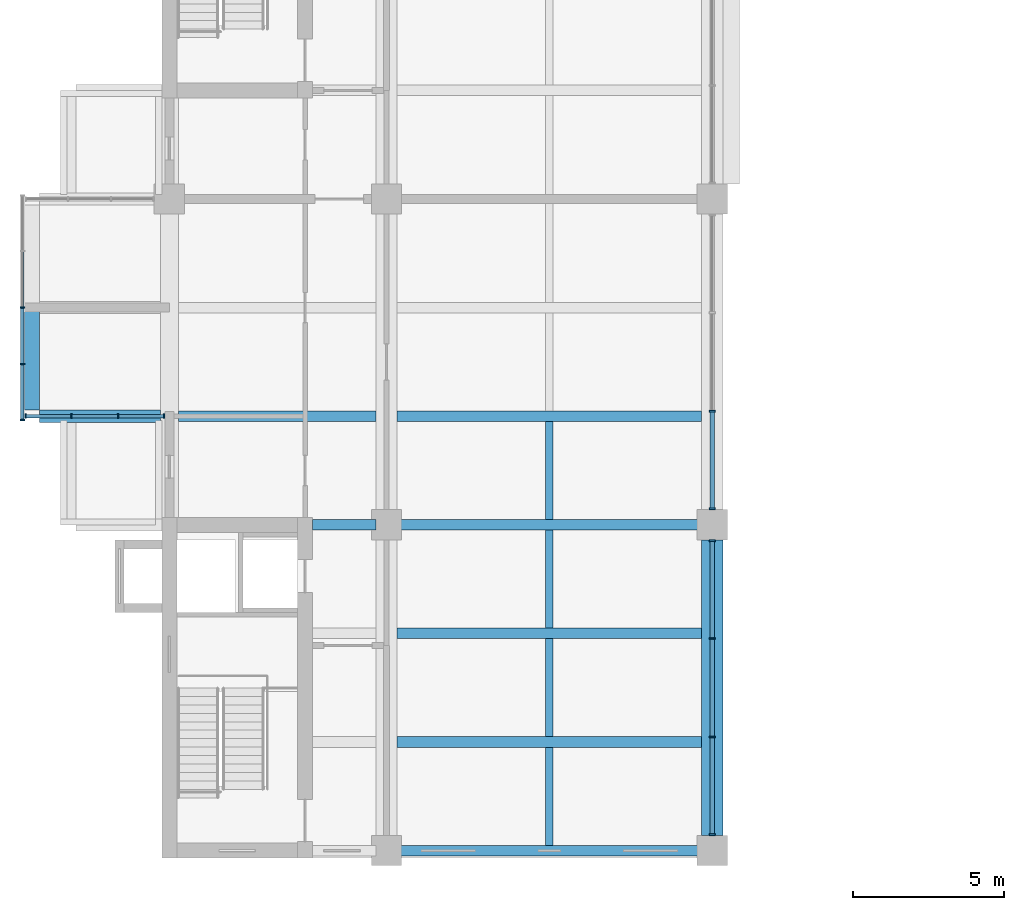
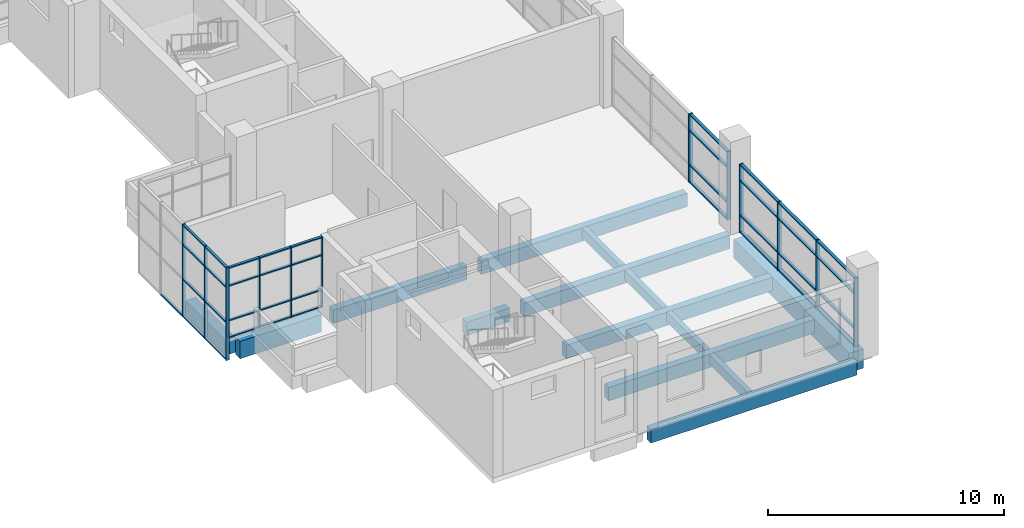
# One storey, part 2 of 44: 50 members, 14 beams, 4 elements without a shape of their own.
"""IFC4 building model written with IfcOpenShell, lengths in metres."""

from ifc_helpers import new_model, si_unit, direction, frame, origin, origin_2d, place, context, subcontext, project, spatial, rectangle, extrude, material, layer, layer_set, material_profile, profile_set, type_object, element, aggregate, save


model = new_model("IFC4")

# Units and contexts
model_context = context("Model", 3, precision=1e-05, world=origin(), true_north=direction((0.0, 1.0)))
body_context = subcontext(model_context, "Body", "Model", "MODEL_VIEW")
ifc_project = project(units=[si_unit("LENGTHUNIT", "METRE"), si_unit("AREAUNIT", "SQUARE_METRE"), si_unit("VOLUMEUNIT", "CUBIC_METRE"), si_unit("PLANEANGLEUNIT", "RADIAN"), si_unit("MASSUNIT", "GRAM", prefix="KILO")], contexts=[model_context])

# Site, building, storey
site_placement = place(None, origin())
site = spatial("IfcSite", under=ifc_project, at=site_placement, CompositionType="ELEMENT")
building_placement = place(site_placement, origin())
building = spatial("IfcBuilding", under=site, at=building_placement, Name="Basin Gate Institute", CompositionType="ELEMENT")
storey_placement = place(building_placement, frame((0.0, 0.0, 27.0)))
storey = spatial("IfcBuildingStorey", under=building, at=storey_placement, Name="L05", CompositionType="ELEMENT", Elevation=27.0)

# Beams
ifc_material_1 = material(Name="Concrete 40 MPa", Category="concrete")
ifc_material_profile_1 = material_profile(ifc_material_1, rectangle(XDim=0.35009765625, YDim=0.699951171875, at=origin_2d()), Name="Beam B1 350 x 700")
ifc_profile_set_1 = profile_set([ifc_material_profile_1], Name="Concrete 40 MPa")
beam_type_1 = type_object("IfcBeamType", Name="Beam B1 R120", PredefinedType="BEAM", material=ifc_profile_set_1)
for number, where, z_axis, x_axis, name in (
    (1, (68.75, 35.10009765625, -0.60009765625), (1.0, 0.0, 0.0), (0.0, 1.0, 0.0), "BEAM/L05/W/EW/01"),
    (2, (68.75, 38.699951171875, -0.60009765625), (1.0, 0.0, 0.0), (0.0, 1.0, 0.0), "BEAM/L05/W/EW/02"),
    (3, (68.75, 42.300048828125, -0.60009765625), (1.0, 0.0, 0.0), (0.0, 1.0, 0.0), "BEAM/L05/W/EW/03"),
    (4, (68.75, 45.89990234375, -0.60009765625), (1.0, 0.0, 0.0), (0.0, 1.0, 0.0), "BEAM/L05/W/EW/04"),
):
    element("IfcBeam", number, at=place(storey_placement, frame(where, z_axis=z_axis, x_axis=x_axis)), inside=storey, type_object=beam_type_1, material=ifc_profile_set_1, Name=name, PredefinedType="BEAM", context=body_context, shape_type="SweptSolid", body=[
        extrude(rectangle(XDim=0.35009765625, YDim=0.699951171875, at=origin_2d()), origin(), (0.0, 0.0, 1.0), 10.10009765625),
    ])
beam_1_placement = place(storey_placement, frame((65.949951171875, 45.89990234375, -0.60009765625), z_axis=(1.0, 0.0, 0.0), x_axis=(0.0, 1.0, 0.0)))
element("IfcBeam", 5, at=beam_1_placement, inside=storey, type_object=beam_type_1, material=ifc_profile_set_1, Name="BEAM/L05/W/CORR/04", PredefinedType="BEAM", context=body_context, shape_type="SweptSolid", body=[
    extrude(rectangle(XDim=0.35009765625, YDim=0.699951171875, at=origin_2d()), origin(), (0.0, 0.0, 1.0), 2.10009765625),
])
beam_2_placement = place(storey_placement, frame((68.75, 49.5, -0.60009765625), z_axis=(1.0, 0.0, 0.0), x_axis=(0.0, 1.0, 0.0)))
element("IfcBeam", 6, at=beam_2_placement, inside=storey, type_object=beam_type_1, material=ifc_profile_set_1, Name="BEAM/L05/W/EW/05", PredefinedType="BEAM", context=body_context, shape_type="SweptSolid", body=[
    extrude(rectangle(XDim=0.35009765625, YDim=0.699951171875, at=origin_2d()), origin(), (0.0, 0.0, 1.0), 10.10009765625),
])
beam_3_placement = place(storey_placement, frame((61.5, 49.5, -0.60009765625), z_axis=(1.0, 0.0, 0.0), x_axis=(0.0, 1.0, 0.0)))
element("IfcBeam", 7, at=beam_3_placement, inside=storey, type_object=beam_type_1, material=ifc_profile_set_1, Name="BEAM/L05/W/OUT/05", PredefinedType="BEAM", context=body_context, shape_type="SweptSolid", body=[
    extrude(rectangle(XDim=0.35009765625, YDim=0.699951171875, at=origin_2d()), origin(), (0.0, 0.0, 1.0), 6.550048828125),
])
ifc_material_2 = material(Name="Concrete 50 MPa", Category="concrete")
ifc_material_profile_2 = material_profile(ifc_material_2, rectangle(XDim=0.39990234375, YDim=0.89990234375, at=origin_2d()), Name="Cantilever beam B3 400 x 900")
ifc_profile_set_2 = profile_set([ifc_material_profile_2], Name="Concrete 50 MPa")
beam_type_2 = type_object("IfcBeamType", Name="Cantilever beam B3 R120", PredefinedType="BEAM", material=ifc_profile_set_2)
beam_4_placement = place(storey_placement, frame((56.89990234375, 49.5, -0.699951171875), z_axis=(1.0, 0.0, 0.0), x_axis=(0.0, 1.0, 0.0)))
element("IfcBeam", 8, at=beam_4_placement, inside=storey, type_object=beam_type_2, material=ifc_profile_set_2, Name="BEAM/L05/W/CANT/05", PredefinedType="BEAM", context=body_context, shape_type="SweptSolid", body=[
    extrude(rectangle(XDim=0.39990234375, YDim=0.89990234375, at=origin_2d()), origin(), (0.0, 0.0, 1.0), 4.0),
])
ifc_material_3 = material(Name="Concrete 50 MPa", Category="concrete")
ifc_material_profile_3 = material_profile(ifc_material_3, rectangle(XDim=0.699951171875, YDim=1.0, at=origin_2d()), Name="Girder G1 700 x 1000")
ifc_profile_set_3 = profile_set([ifc_material_profile_3], Name="Concrete 50 MPa")
beam_type_3 = type_object("IfcBeamType", Name="Girder G1 R120", PredefinedType="BEAM", material=ifc_profile_set_3)
beam_5_placement = place(storey_placement, frame((79.199951171875, 35.60009765625, -0.75), z_axis=(0.0, 1.0, 0.0), x_axis=(-1.0, 0.0, 0.0)))
element("IfcBeam", 9, at=beam_5_placement, inside=storey, type_object=beam_type_3, material=ifc_profile_set_3, Name="GIR/L05/W6/1", PredefinedType="BEAM", context=body_context, shape_type="SweptSolid", body=[
    extrude(rectangle(XDim=0.699951171875, YDim=1.0, at=origin_2d()), origin(), (0.0, 0.0, 1.0), 9.7998046875),
])

# Curtain wall, members
ifc_material_4 = material(Name="Aluminium-framed glazing", Category="aluminium")
ifc_layer_1 = layer(ifc_material_4, 0.14990234375)
ifc_layer_set_1 = layer_set([ifc_layer_1], Name="Capsule front curtain wall CW1")
curtain_wall_type_1 = type_object("IfcCurtainWallType", Name="Capsule front curtain wall CW1", PredefinedType="NOTDEFINED", material=ifc_layer_set_1)
curtain_wall_1_placement = place(storey_placement, origin())
curtain_wall_1 = element("IfcCurtainWall", 10, at=curtain_wall_1_placement, inside=storey, type_object=curtain_wall_type_1, material=ifc_layer_set_1, Name="Capsule front curtain wall W wing capsule end L05 line 5", PredefinedType="NOTDEFINED")
ifc_material_5 = material(Name="Aluminium", Category="aluminium")
ifc_material_profile_4 = material_profile(ifc_material_5, rectangle(XDim=0.14990234375, YDim=0.050048828125, at=origin_2d()), Name="Mullion MU1 150 x 50")
ifc_profile_set_4 = profile_set([ifc_material_profile_4], Name="Aluminium")
member_type_1 = type_object("IfcMemberType", Name="Mullion MU1", PredefinedType="MULLION", material=ifc_profile_set_4)
member_1_placement = place(storey_placement, frame((56.425048828125, 49.5, 0.0), z_axis=(0.0, 0.0, 1.0), x_axis=(0.0, 1.0, 0.0)))
member_1 = element("IfcMember", 11, at=member_1_placement, type_object=member_type_1, material=ifc_profile_set_4, Name="CW1 mullion 1", PredefinedType="MULLION", context=body_context, shape_type="SweptSolid", body=[
    extrude(rectangle(XDim=0.14990234375, YDim=0.050048828125, at=origin_2d()), origin(), (0.0, 0.0, 1.0), 3.64990234375),
])
member_2_placement = place(storey_placement, frame((57.949951171875, 49.5, 0.0), z_axis=(0.0, 0.0, 1.0), x_axis=(0.0, 1.0, 0.0)))
member_2 = element("IfcMember", 12, at=member_2_placement, type_object=member_type_1, material=ifc_profile_set_4, Name="CW1 mullion 2", PredefinedType="MULLION", context=body_context, shape_type="SweptSolid", body=[
    extrude(rectangle(XDim=0.14990234375, YDim=0.050048828125, at=origin_2d()), origin(), (0.0, 0.0, 1.0), 3.64990234375),
])
member_3_placement = place(storey_placement, frame((59.5, 49.5, 0.0), z_axis=(0.0, 0.0, 1.0), x_axis=(0.0, 1.0, 0.0)))
member_3 = element("IfcMember", 13, at=member_3_placement, type_object=member_type_1, material=ifc_profile_set_4, Name="CW1 mullion 3", PredefinedType="MULLION", context=body_context, shape_type="SweptSolid", body=[
    extrude(rectangle(XDim=0.14990234375, YDim=0.050048828125, at=origin_2d()), origin(), (0.0, 0.0, 1.0), 3.64990234375),
])
member_4_placement = place(storey_placement, frame((61.02490234375, 49.5, 0.0), z_axis=(0.0, 0.0, 1.0), x_axis=(0.0, 1.0, 0.0)))
member_4 = element("IfcMember", 14, at=member_4_placement, type_object=member_type_1, material=ifc_profile_set_4, Name="CW1 mullion 4", PredefinedType="MULLION", context=body_context, shape_type="SweptSolid", body=[
    extrude(rectangle(XDim=0.14990234375, YDim=0.050048828125, at=origin_2d()), origin(), (0.0, 0.0, 1.0), 3.64990234375),
])

curtain_wall_2_placement = place(storey_placement, origin())
curtain_wall_2 = element("IfcCurtainWall", 15, at=curtain_wall_2_placement, inside=storey, type_object=curtain_wall_type_1, material=ifc_layer_set_1, Name="Capsule front curtain wall W wing capsule 1 L05 front 2", PredefinedType="NOTDEFINED")
member_5_placement = place(storey_placement, frame((56.324951171875, 49.375, -1.050048828125), z_axis=(0.0, 0.0, 1.0), x_axis=(-1.0, 0.0, 0.0)))
member_5 = element("IfcMember", 16, at=member_5_placement, type_object=member_type_1, material=ifc_profile_set_4, Name="CW1 mullion 1", PredefinedType="MULLION", context=body_context, shape_type="SweptSolid", body=[
    extrude(rectangle(XDim=0.14990234375, YDim=0.050048828125, at=origin_2d()), origin(), (0.0, 0.0, 1.0), 4.800048828125),
])
member_6_placement = place(storey_placement, frame((56.324951171875, 51.22509765625, -1.050048828125), z_axis=(0.0, 0.0, 1.0), x_axis=(-1.0, 0.0, 0.0)))
member_6 = element("IfcMember", 17, at=member_6_placement, type_object=member_type_1, material=ifc_profile_set_4, Name="CW1 mullion 2", PredefinedType="MULLION", context=body_context, shape_type="SweptSolid", body=[
    extrude(rectangle(XDim=0.14990234375, YDim=0.050048828125, at=origin_2d()), origin(), (0.0, 0.0, 1.0), 4.800048828125),
])
member_7_placement = place(storey_placement, frame((56.324951171875, 53.10009765625, -1.050048828125), z_axis=(0.0, 0.0, 1.0), x_axis=(-1.0, 0.0, 0.0)))
member_7 = element("IfcMember", 18, at=member_7_placement, type_object=member_type_1, material=ifc_profile_set_4, Name="CW1 mullion 3", PredefinedType="MULLION", context=body_context, shape_type="SweptSolid", body=[
    extrude(rectangle(XDim=0.14990234375, YDim=0.050048828125, at=origin_2d()), origin(), (0.0, 0.0, 1.0), 4.800048828125),
])

ifc_material_6 = material(Name="Aluminium-framed glazing", Category="aluminium")
ifc_layer_2 = layer(ifc_material_6, 0.199951171875)
ifc_layer_set_2 = layer_set([ifc_layer_2], Name="Atrium curtain wall CW2")
curtain_wall_type_2 = type_object("IfcCurtainWallType", Name="Atrium curtain wall CW2", PredefinedType="NOTDEFINED", material=ifc_layer_set_2)
curtain_wall_3_placement = place(storey_placement, origin())
curtain_wall_3 = element("IfcCurtainWall", 19, at=curtain_wall_3_placement, inside=storey, type_object=curtain_wall_type_2, material=ifc_layer_set_2, Name="Atrium curtain wall W wing atrium bay 1 L05", PredefinedType="NOTDEFINED")
ifc_material_7 = material(Name="Aluminium", Category="aluminium")
ifc_material_profile_5 = material_profile(ifc_material_7, rectangle(XDim=0.199951171875, YDim=0.06005859375, at=origin_2d()), Name="Mullion MU2 200 x 60")
ifc_profile_set_5 = profile_set([ifc_material_profile_5], Name="Aluminium")
member_type_2 = type_object("IfcMemberType", Name="Mullion MU2", PredefinedType="MULLION", material=ifc_profile_set_5)
member_8_placement = place(storey_placement, frame((79.199951171875, 35.6298828125, 0.0), z_axis=(0.0, 0.0, 1.0), x_axis=(-1.0, 0.0, 0.0)))
member_8 = element("IfcMember", 20, at=member_8_placement, type_object=member_type_2, material=ifc_profile_set_5, Name="CW2 mullion 1", PredefinedType="MULLION", context=body_context, shape_type="SweptSolid", body=[
    extrude(rectangle(XDim=0.199951171875, YDim=0.06005859375, at=origin_2d()), origin(), (0.0, 0.0, 1.0), 3.550048828125),
])
member_9_placement = place(storey_placement, frame((79.199951171875, 38.86669921875, 0.0), z_axis=(0.0, 0.0, 1.0), x_axis=(-1.0, 0.0, 0.0)))
member_9 = element("IfcMember", 21, at=member_9_placement, type_object=member_type_2, material=ifc_profile_set_5, Name="CW2 mullion 2", PredefinedType="MULLION", context=body_context, shape_type="SweptSolid", body=[
    extrude(rectangle(XDim=0.199951171875, YDim=0.06005859375, at=origin_2d()), origin(), (0.0, 0.0, 1.0), 3.550048828125),
])
member_10_placement = place(storey_placement, frame((79.199951171875, 42.13330078125, 0.0), z_axis=(0.0, 0.0, 1.0), x_axis=(-1.0, 0.0, 0.0)))
member_10 = element("IfcMember", 22, at=member_10_placement, type_object=member_type_2, material=ifc_profile_set_5, Name="CW2 mullion 3", PredefinedType="MULLION", context=body_context, shape_type="SweptSolid", body=[
    extrude(rectangle(XDim=0.199951171875, YDim=0.06005859375, at=origin_2d()), origin(), (0.0, 0.0, 1.0), 3.550048828125),
])
member_11_placement = place(storey_placement, frame((79.199951171875, 45.3701171875, 0.0), z_axis=(0.0, 0.0, 1.0), x_axis=(-1.0, 0.0, 0.0)))
member_11 = element("IfcMember", 23, at=member_11_placement, type_object=member_type_2, material=ifc_profile_set_5, Name="CW2 mullion 4", PredefinedType="MULLION", context=body_context, shape_type="SweptSolid", body=[
    extrude(rectangle(XDim=0.199951171875, YDim=0.06005859375, at=origin_2d()), origin(), (0.0, 0.0, 1.0), 3.550048828125),
])

curtain_wall_4_placement = place(storey_placement, origin())
curtain_wall_4 = element("IfcCurtainWall", 24, at=curtain_wall_4_placement, inside=storey, type_object=curtain_wall_type_2, material=ifc_layer_set_2, Name="Atrium curtain wall W wing atrium bay 2 L05", PredefinedType="NOTDEFINED")
member_12_placement = place(storey_placement, frame((79.199951171875, 46.429931640625, 0.0), z_axis=(0.0, 0.0, 1.0), x_axis=(-1.0, 0.0, 0.0)))
member_12 = element("IfcMember", 25, at=member_12_placement, type_object=member_type_2, material=ifc_profile_set_5, Name="CW2 mullion 1", PredefinedType="MULLION", context=body_context, shape_type="SweptSolid", body=[
    extrude(rectangle(XDim=0.199951171875, YDim=0.06005859375, at=origin_2d()), origin(), (0.0, 0.0, 1.0), 3.550048828125),
])
member_13_placement = place(storey_placement, frame((79.199951171875, 49.666748046875, 0.0), z_axis=(0.0, 0.0, 1.0), x_axis=(-1.0, 0.0, 0.0)))
member_13 = element("IfcMember", 26, at=member_13_placement, type_object=member_type_2, material=ifc_profile_set_5, Name="CW2 mullion 2", PredefinedType="MULLION", context=body_context, shape_type="SweptSolid", body=[
    extrude(rectangle(XDim=0.199951171875, YDim=0.06005859375, at=origin_2d()), origin(), (0.0, 0.0, 1.0), 3.550048828125),
])

# Beams
ifc_material_8 = material(Name="Concrete 40 MPa", Category="concrete")
ifc_material_profile_6 = material_profile(ifc_material_8, rectangle(XDim=0.25, YDim=0.5, at=origin_2d()), Name="Rib R1 250 x 500")
ifc_profile_set_6 = profile_set([ifc_material_profile_6], Name="Concrete 40 MPa")
beam_type_4 = type_object("IfcBeamType", Name="Rib R1 R120", PredefinedType="JOIST", material=ifc_profile_set_6)
for number, where, z_axis, x_axis, name in (
    (27, (73.800048828125, 35.27490234375, -0.5), (0.0, 1.0, 0.0), (-1.0, 0.0, 0.0), "BEAM/L05/W/RIB/01"),
    (28, (73.800048828125, 38.875, -0.5), (0.0, 1.0, 0.0), (-1.0, 0.0, 0.0), "BEAM/L05/W/RIB/02"),
    (29, (73.800048828125, 42.47509765625, -0.5), (0.0, 1.0, 0.0), (-1.0, 0.0, 0.0), "BEAM/L05/W/RIB/03"),
    (30, (73.800048828125, 46.074951171875, -0.5), (0.0, 1.0, 0.0), (-1.0, 0.0, 0.0), "BEAM/L05/W/RIB/04"),
):
    element("IfcBeam", number, at=place(storey_placement, frame(where, z_axis=z_axis, x_axis=x_axis)), inside=storey, type_object=beam_type_4, material=ifc_profile_set_6, Name=name, PredefinedType="JOIST", context=body_context, shape_type="SweptSolid", body=[
        extrude(rectangle(XDim=0.25, YDim=0.5, at=origin_2d()), origin(), (0.0, 0.0, 1.0), 3.25),
    ])
ifc_material_9 = material(Name="Concrete 50 MPa", Category="concrete")
ifc_material_profile_7 = material_profile(ifc_material_9, rectangle(XDim=0.5, YDim=0.800048828125, at=origin_2d()), Name="Tip beam TB1 500 x 800")
ifc_profile_set_7 = profile_set([ifc_material_profile_7], Name="Concrete 50 MPa")
beam_type_5 = type_object("IfcBeamType", Name="Tip beam TB1 R120", PredefinedType="SPANDREL", material=ifc_profile_set_7)
beam_6_placement = place(storey_placement, frame((56.64990234375, 49.699951171875, -0.64990234375), z_axis=(0.0, 1.0, 0.0), x_axis=(-1.0, 0.0, 0.0)))
element("IfcBeam", 31, at=beam_6_placement, inside=storey, type_object=beam_type_5, material=ifc_profile_set_7, Name="BEAM/L05/W/TIP/2", PredefinedType="SPANDREL", context=body_context, shape_type="SweptSolid", body=[
    extrude(rectangle(XDim=0.5, YDim=0.800048828125, at=origin_2d()), origin(), (0.0, 0.0, 1.0), 3.400146484375),
])

# Member
ifc_material_10 = material(Name="Aluminium", Category="aluminium")
ifc_material_profile_8 = material_profile(ifc_material_10, rectangle(XDim=0.1201171875, YDim=0.06005859375, at=origin_2d()), Name="Transom TR1 120 x 60")
ifc_profile_set_8 = profile_set([ifc_material_profile_8], Name="Aluminium")
member_type_3 = type_object("IfcMemberType", Name="Transom TR1", PredefinedType="USERDEFINED", material=ifc_profile_set_8)
member_14_placement = place(storey_placement, frame((56.449951171875, 49.5, 0.030029296875), z_axis=(1.0, 0.0, 0.0), x_axis=(0.0, 1.0, 0.0)))
member_14 = element("IfcMember", 32, at=member_14_placement, type_object=member_type_3, material=ifc_profile_set_8, Name="CW1 transom 1.1", ObjectType="TRANSOM", PredefinedType="USERDEFINED", context=body_context, shape_type="SweptSolid", body=[
    extrude(rectangle(XDim=0.1201171875, YDim=0.06005859375, at=origin_2d()), origin(), (0.0, 0.0, 1.0), 1.47509765625),
])

member_15_placement = place(storey_placement, frame((56.449951171875, 49.5, 0.89990234375), z_axis=(1.0, 0.0, 0.0), x_axis=(0.0, 1.0, 0.0)))
member_15 = element("IfcMember", 33, at=member_15_placement, type_object=member_type_3, material=ifc_profile_set_8, Name="CW1 transom 1.2", ObjectType="TRANSOM", PredefinedType="USERDEFINED", context=body_context, shape_type="SweptSolid", body=[
    extrude(rectangle(XDim=0.1201171875, YDim=0.06005859375, at=origin_2d()), origin(), (0.0, 0.0, 1.0), 1.47509765625),
])

member_16_placement = place(storey_placement, frame((56.449951171875, 49.5, 2.699951171875), z_axis=(1.0, 0.0, 0.0), x_axis=(0.0, 1.0, 0.0)))
member_16 = element("IfcMember", 34, at=member_16_placement, type_object=member_type_3, material=ifc_profile_set_8, Name="CW1 transom 1.3", ObjectType="TRANSOM", PredefinedType="USERDEFINED", context=body_context, shape_type="SweptSolid", body=[
    extrude(rectangle(XDim=0.1201171875, YDim=0.06005859375, at=origin_2d()), origin(), (0.0, 0.0, 1.0), 1.47509765625),
])

member_17_placement = place(storey_placement, frame((56.449951171875, 49.5, 3.6201171875), z_axis=(1.0, 0.0, 0.0), x_axis=(0.0, 1.0, 0.0)))
member_17 = element("IfcMember", 35, at=member_17_placement, type_object=member_type_3, material=ifc_profile_set_8, Name="CW1 transom 1.4", ObjectType="TRANSOM", PredefinedType="USERDEFINED", context=body_context, shape_type="SweptSolid", body=[
    extrude(rectangle(XDim=0.1201171875, YDim=0.06005859375, at=origin_2d()), origin(), (0.0, 0.0, 1.0), 1.47509765625),
])

member_18_placement = place(storey_placement, frame((57.97509765625, 49.5, 0.030029296875), z_axis=(1.0, 0.0, 0.0), x_axis=(0.0, 1.0, 0.0)))
member_18 = element("IfcMember", 36, at=member_18_placement, type_object=member_type_3, material=ifc_profile_set_8, Name="CW1 transom 2.1", ObjectType="TRANSOM", PredefinedType="USERDEFINED", context=body_context, shape_type="SweptSolid", body=[
    extrude(rectangle(XDim=0.1201171875, YDim=0.06005859375, at=origin_2d()), origin(), (0.0, 0.0, 1.0), 1.5),
])

member_19_placement = place(storey_placement, frame((57.97509765625, 49.5, 0.89990234375), z_axis=(1.0, 0.0, 0.0), x_axis=(0.0, 1.0, 0.0)))
member_19 = element("IfcMember", 37, at=member_19_placement, type_object=member_type_3, material=ifc_profile_set_8, Name="CW1 transom 2.2", ObjectType="TRANSOM", PredefinedType="USERDEFINED", context=body_context, shape_type="SweptSolid", body=[
    extrude(rectangle(XDim=0.1201171875, YDim=0.06005859375, at=origin_2d()), origin(), (0.0, 0.0, 1.0), 1.5),
])

member_20_placement = place(storey_placement, frame((57.97509765625, 49.5, 2.699951171875), z_axis=(1.0, 0.0, 0.0), x_axis=(0.0, 1.0, 0.0)))
member_20 = element("IfcMember", 38, at=member_20_placement, type_object=member_type_3, material=ifc_profile_set_8, Name="CW1 transom 2.3", ObjectType="TRANSOM", PredefinedType="USERDEFINED", context=body_context, shape_type="SweptSolid", body=[
    extrude(rectangle(XDim=0.1201171875, YDim=0.06005859375, at=origin_2d()), origin(), (0.0, 0.0, 1.0), 1.5),
])

member_21_placement = place(storey_placement, frame((57.97509765625, 49.5, 3.6201171875), z_axis=(1.0, 0.0, 0.0), x_axis=(0.0, 1.0, 0.0)))
member_21 = element("IfcMember", 39, at=member_21_placement, type_object=member_type_3, material=ifc_profile_set_8, Name="CW1 transom 2.4", ObjectType="TRANSOM", PredefinedType="USERDEFINED", context=body_context, shape_type="SweptSolid", body=[
    extrude(rectangle(XDim=0.1201171875, YDim=0.06005859375, at=origin_2d()), origin(), (0.0, 0.0, 1.0), 1.5),
])

member_22_placement = place(storey_placement, frame((59.52490234375, 49.5, 0.030029296875), z_axis=(1.0, 0.0, 0.0), x_axis=(0.0, 1.0, 0.0)))
member_22 = element("IfcMember", 40, at=member_22_placement, type_object=member_type_3, material=ifc_profile_set_8, Name="CW1 transom 3.1", ObjectType="TRANSOM", PredefinedType="USERDEFINED", context=body_context, shape_type="SweptSolid", body=[
    extrude(rectangle(XDim=0.1201171875, YDim=0.06005859375, at=origin_2d()), origin(), (0.0, 0.0, 1.0), 1.47509765625),
])

member_23_placement = place(storey_placement, frame((59.52490234375, 49.5, 0.89990234375), z_axis=(1.0, 0.0, 0.0), x_axis=(0.0, 1.0, 0.0)))
member_23 = element("IfcMember", 41, at=member_23_placement, type_object=member_type_3, material=ifc_profile_set_8, Name="CW1 transom 3.2", ObjectType="TRANSOM", PredefinedType="USERDEFINED", context=body_context, shape_type="SweptSolid", body=[
    extrude(rectangle(XDim=0.1201171875, YDim=0.06005859375, at=origin_2d()), origin(), (0.0, 0.0, 1.0), 1.47509765625),
])

member_24_placement = place(storey_placement, frame((59.52490234375, 49.5, 2.699951171875), z_axis=(1.0, 0.0, 0.0), x_axis=(0.0, 1.0, 0.0)))
member_24 = element("IfcMember", 42, at=member_24_placement, type_object=member_type_3, material=ifc_profile_set_8, Name="CW1 transom 3.3", ObjectType="TRANSOM", PredefinedType="USERDEFINED", context=body_context, shape_type="SweptSolid", body=[
    extrude(rectangle(XDim=0.1201171875, YDim=0.06005859375, at=origin_2d()), origin(), (0.0, 0.0, 1.0), 1.47509765625),
])

member_25_placement = place(storey_placement, frame((59.52490234375, 49.5, 3.6201171875), z_axis=(1.0, 0.0, 0.0), x_axis=(0.0, 1.0, 0.0)))
member_25 = element("IfcMember", 43, at=member_25_placement, type_object=member_type_3, material=ifc_profile_set_8, Name="CW1 transom 3.4", ObjectType="TRANSOM", PredefinedType="USERDEFINED", context=body_context, shape_type="SweptSolid", body=[
    extrude(rectangle(XDim=0.1201171875, YDim=0.06005859375, at=origin_2d()), origin(), (0.0, 0.0, 1.0), 1.47509765625),
])

aggregate(curtain_wall_1, [member_1, member_2, member_3, member_4, member_14, member_15, member_16, member_17, member_18, member_19, member_20, member_21, member_22, member_23, member_24, member_25])

member_26_placement = place(storey_placement, frame((56.324951171875, 49.39990234375, -1.02001953125), z_axis=(0.0, 1.0, 0.0), x_axis=(-1.0, 0.0, 0.0)))
member_26 = element("IfcMember", 44, at=member_26_placement, type_object=member_type_3, material=ifc_profile_set_8, Name="CW1 transom 1.1", ObjectType="TRANSOM", PredefinedType="USERDEFINED", context=body_context, shape_type="SweptSolid", body=[
    extrude(rectangle(XDim=0.1201171875, YDim=0.06005859375, at=origin_2d()), origin(), (0.0, 0.0, 1.0), 1.800048828125),
])

member_27_placement = place(storey_placement, frame((56.324951171875, 49.39990234375, 0.89990234375), z_axis=(0.0, 1.0, 0.0), x_axis=(-1.0, 0.0, 0.0)))
member_27 = element("IfcMember", 45, at=member_27_placement, type_object=member_type_3, material=ifc_profile_set_8, Name="CW1 transom 1.2", ObjectType="TRANSOM", PredefinedType="USERDEFINED", context=body_context, shape_type="SweptSolid", body=[
    extrude(rectangle(XDim=0.1201171875, YDim=0.06005859375, at=origin_2d()), origin(), (0.0, 0.0, 1.0), 1.800048828125),
])

member_28_placement = place(storey_placement, frame((56.324951171875, 49.39990234375, 2.699951171875), z_axis=(0.0, 1.0, 0.0), x_axis=(-1.0, 0.0, 0.0)))
member_28 = element("IfcMember", 46, at=member_28_placement, type_object=member_type_3, material=ifc_profile_set_8, Name="CW1 transom 1.3", ObjectType="TRANSOM", PredefinedType="USERDEFINED", context=body_context, shape_type="SweptSolid", body=[
    extrude(rectangle(XDim=0.1201171875, YDim=0.06005859375, at=origin_2d()), origin(), (0.0, 0.0, 1.0), 1.800048828125),
])

member_29_placement = place(storey_placement, frame((56.324951171875, 49.39990234375, 3.719970703125), z_axis=(0.0, 1.0, 0.0), x_axis=(-1.0, 0.0, 0.0)))
member_29 = element("IfcMember", 47, at=member_29_placement, type_object=member_type_3, material=ifc_profile_set_8, Name="CW1 transom 1.4", ObjectType="TRANSOM", PredefinedType="USERDEFINED", context=body_context, shape_type="SweptSolid", body=[
    extrude(rectangle(XDim=0.1201171875, YDim=0.06005859375, at=origin_2d()), origin(), (0.0, 0.0, 1.0), 1.800048828125),
])

member_30_placement = place(storey_placement, frame((56.324951171875, 51.25, -1.02001953125), z_axis=(0.0, 1.0, 0.0), x_axis=(-1.0, 0.0, 0.0)))
member_30 = element("IfcMember", 48, at=member_30_placement, type_object=member_type_3, material=ifc_profile_set_8, Name="CW1 transom 2.1", ObjectType="TRANSOM", PredefinedType="USERDEFINED", context=body_context, shape_type="SweptSolid", body=[
    extrude(rectangle(XDim=0.1201171875, YDim=0.06005859375, at=origin_2d()), origin(), (0.0, 0.0, 1.0), 1.824951171875),
])

member_31_placement = place(storey_placement, frame((56.324951171875, 51.25, 0.89990234375), z_axis=(0.0, 1.0, 0.0), x_axis=(-1.0, 0.0, 0.0)))
member_31 = element("IfcMember", 49, at=member_31_placement, type_object=member_type_3, material=ifc_profile_set_8, Name="CW1 transom 2.2", ObjectType="TRANSOM", PredefinedType="USERDEFINED", context=body_context, shape_type="SweptSolid", body=[
    extrude(rectangle(XDim=0.1201171875, YDim=0.06005859375, at=origin_2d()), origin(), (0.0, 0.0, 1.0), 1.824951171875),
])

member_32_placement = place(storey_placement, frame((56.324951171875, 51.25, 2.699951171875), z_axis=(0.0, 1.0, 0.0), x_axis=(-1.0, 0.0, 0.0)))
member_32 = element("IfcMember", 50, at=member_32_placement, type_object=member_type_3, material=ifc_profile_set_8, Name="CW1 transom 2.3", ObjectType="TRANSOM", PredefinedType="USERDEFINED", context=body_context, shape_type="SweptSolid", body=[
    extrude(rectangle(XDim=0.1201171875, YDim=0.06005859375, at=origin_2d()), origin(), (0.0, 0.0, 1.0), 1.824951171875),
])

member_33_placement = place(storey_placement, frame((56.324951171875, 51.25, 3.719970703125), z_axis=(0.0, 1.0, 0.0), x_axis=(-1.0, 0.0, 0.0)))
member_33 = element("IfcMember", 51, at=member_33_placement, type_object=member_type_3, material=ifc_profile_set_8, Name="CW1 transom 2.4", ObjectType="TRANSOM", PredefinedType="USERDEFINED", context=body_context, shape_type="SweptSolid", body=[
    extrude(rectangle(XDim=0.1201171875, YDim=0.06005859375, at=origin_2d()), origin(), (0.0, 0.0, 1.0), 1.824951171875),
])

member_34_placement = place(storey_placement, frame((56.324951171875, 53.125, -1.02001953125), z_axis=(0.0, 1.0, 0.0), x_axis=(-1.0, 0.0, 0.0)))
member_34 = element("IfcMember", 52, at=member_34_placement, type_object=member_type_3, material=ifc_profile_set_8, Name="CW1 transom 3.1", ObjectType="TRANSOM", PredefinedType="USERDEFINED", context=body_context, shape_type="SweptSolid", body=[
    extrude(rectangle(XDim=0.1201171875, YDim=0.06005859375, at=origin_2d()), origin(), (0.0, 0.0, 1.0), 1.824951171875),
])

aggregate(curtain_wall_2, [member_5, member_6, member_7, member_26, member_27, member_28, member_29, member_30, member_31, member_32, member_33, member_34])

ifc_material_11 = material(Name="Aluminium", Category="aluminium")
ifc_material_profile_9 = material_profile(ifc_material_11, rectangle(XDim=0.14990234375, YDim=0.06005859375, at=origin_2d()), Name="Transom TR2 150 x 60")
ifc_profile_set_9 = profile_set([ifc_material_profile_9], Name="Aluminium")
member_type_4 = type_object("IfcMemberType", Name="Transom TR2", PredefinedType="USERDEFINED", material=ifc_profile_set_9)
member_35_placement = place(storey_placement, frame((79.199951171875, 35.659912109375, 0.030029296875), z_axis=(0.0, 1.0, 0.0), x_axis=(-1.0, 0.0, 0.0)))
member_35 = element("IfcMember", 53, at=member_35_placement, type_object=member_type_4, material=ifc_profile_set_9, Name="CW2 transom 1.1", ObjectType="TRANSOM", PredefinedType="USERDEFINED", context=body_context, shape_type="SweptSolid", body=[
    extrude(rectangle(XDim=0.14990234375, YDim=0.06005859375, at=origin_2d()), origin(), (0.0, 0.0, 1.0), 3.1767578125),
])

member_36_placement = place(storey_placement, frame((79.199951171875, 35.659912109375, 0.89990234375), z_axis=(0.0, 1.0, 0.0), x_axis=(-1.0, 0.0, 0.0)))
member_36 = element("IfcMember", 54, at=member_36_placement, type_object=member_type_4, material=ifc_profile_set_9, Name="CW2 transom 1.2", ObjectType="TRANSOM", PredefinedType="USERDEFINED", context=body_context, shape_type="SweptSolid", body=[
    extrude(rectangle(XDim=0.14990234375, YDim=0.06005859375, at=origin_2d()), origin(), (0.0, 0.0, 1.0), 3.1767578125),
])

member_37_placement = place(storey_placement, frame((79.199951171875, 35.659912109375, 2.699951171875), z_axis=(0.0, 1.0, 0.0), x_axis=(-1.0, 0.0, 0.0)))
member_37 = element("IfcMember", 55, at=member_37_placement, type_object=member_type_4, material=ifc_profile_set_9, Name="CW2 transom 1.3", ObjectType="TRANSOM", PredefinedType="USERDEFINED", context=body_context, shape_type="SweptSolid", body=[
    extrude(rectangle(XDim=0.14990234375, YDim=0.06005859375, at=origin_2d()), origin(), (0.0, 0.0, 1.0), 3.1767578125),
])

member_38_placement = place(storey_placement, frame((79.199951171875, 35.659912109375, 3.52001953125), z_axis=(0.0, 1.0, 0.0), x_axis=(-1.0, 0.0, 0.0)))
member_38 = element("IfcMember", 56, at=member_38_placement, type_object=member_type_4, material=ifc_profile_set_9, Name="CW2 transom 1.4", ObjectType="TRANSOM", PredefinedType="USERDEFINED", context=body_context, shape_type="SweptSolid", body=[
    extrude(rectangle(XDim=0.14990234375, YDim=0.06005859375, at=origin_2d()), origin(), (0.0, 0.0, 1.0), 3.1767578125),
])

member_39_placement = place(storey_placement, frame((79.199951171875, 38.896728515625, 0.030029296875), z_axis=(0.0, 1.0, 0.0), x_axis=(-1.0, 0.0, 0.0)))
member_39 = element("IfcMember", 57, at=member_39_placement, type_object=member_type_4, material=ifc_profile_set_9, Name="CW2 transom 2.1", ObjectType="TRANSOM", PredefinedType="USERDEFINED", context=body_context, shape_type="SweptSolid", body=[
    extrude(rectangle(XDim=0.14990234375, YDim=0.06005859375, at=origin_2d()), origin(), (0.0, 0.0, 1.0), 3.20654296875),
])

member_40_placement = place(storey_placement, frame((79.199951171875, 38.896728515625, 0.89990234375), z_axis=(0.0, 1.0, 0.0), x_axis=(-1.0, 0.0, 0.0)))
member_40 = element("IfcMember", 58, at=member_40_placement, type_object=member_type_4, material=ifc_profile_set_9, Name="CW2 transom 2.2", ObjectType="TRANSOM", PredefinedType="USERDEFINED", context=body_context, shape_type="SweptSolid", body=[
    extrude(rectangle(XDim=0.14990234375, YDim=0.06005859375, at=origin_2d()), origin(), (0.0, 0.0, 1.0), 3.20654296875),
])

member_41_placement = place(storey_placement, frame((79.199951171875, 38.896728515625, 2.699951171875), z_axis=(0.0, 1.0, 0.0), x_axis=(-1.0, 0.0, 0.0)))
member_41 = element("IfcMember", 59, at=member_41_placement, type_object=member_type_4, material=ifc_profile_set_9, Name="CW2 transom 2.3", ObjectType="TRANSOM", PredefinedType="USERDEFINED", context=body_context, shape_type="SweptSolid", body=[
    extrude(rectangle(XDim=0.14990234375, YDim=0.06005859375, at=origin_2d()), origin(), (0.0, 0.0, 1.0), 3.20654296875),
])

member_42_placement = place(storey_placement, frame((79.199951171875, 38.896728515625, 3.52001953125), z_axis=(0.0, 1.0, 0.0), x_axis=(-1.0, 0.0, 0.0)))
member_42 = element("IfcMember", 60, at=member_42_placement, type_object=member_type_4, material=ifc_profile_set_9, Name="CW2 transom 2.4", ObjectType="TRANSOM", PredefinedType="USERDEFINED", context=body_context, shape_type="SweptSolid", body=[
    extrude(rectangle(XDim=0.14990234375, YDim=0.06005859375, at=origin_2d()), origin(), (0.0, 0.0, 1.0), 3.20654296875),
])

member_43_placement = place(storey_placement, frame((79.199951171875, 42.163330078125, 0.030029296875), z_axis=(0.0, 1.0, 0.0), x_axis=(-1.0, 0.0, 0.0)))
member_43 = element("IfcMember", 61, at=member_43_placement, type_object=member_type_4, material=ifc_profile_set_9, Name="CW2 transom 3.1", ObjectType="TRANSOM", PredefinedType="USERDEFINED", context=body_context, shape_type="SweptSolid", body=[
    extrude(rectangle(XDim=0.14990234375, YDim=0.06005859375, at=origin_2d()), origin(), (0.0, 0.0, 1.0), 3.1767578125),
])

member_44_placement = place(storey_placement, frame((79.199951171875, 42.163330078125, 0.89990234375), z_axis=(0.0, 1.0, 0.0), x_axis=(-1.0, 0.0, 0.0)))
member_44 = element("IfcMember", 62, at=member_44_placement, type_object=member_type_4, material=ifc_profile_set_9, Name="CW2 transom 3.2", ObjectType="TRANSOM", PredefinedType="USERDEFINED", context=body_context, shape_type="SweptSolid", body=[
    extrude(rectangle(XDim=0.14990234375, YDim=0.06005859375, at=origin_2d()), origin(), (0.0, 0.0, 1.0), 3.1767578125),
])

member_45_placement = place(storey_placement, frame((79.199951171875, 42.163330078125, 2.699951171875), z_axis=(0.0, 1.0, 0.0), x_axis=(-1.0, 0.0, 0.0)))
member_45 = element("IfcMember", 63, at=member_45_placement, type_object=member_type_4, material=ifc_profile_set_9, Name="CW2 transom 3.3", ObjectType="TRANSOM", PredefinedType="USERDEFINED", context=body_context, shape_type="SweptSolid", body=[
    extrude(rectangle(XDim=0.14990234375, YDim=0.06005859375, at=origin_2d()), origin(), (0.0, 0.0, 1.0), 3.1767578125),
])

member_46_placement = place(storey_placement, frame((79.199951171875, 42.163330078125, 3.52001953125), z_axis=(0.0, 1.0, 0.0), x_axis=(-1.0, 0.0, 0.0)))
member_46 = element("IfcMember", 64, at=member_46_placement, type_object=member_type_4, material=ifc_profile_set_9, Name="CW2 transom 3.4", ObjectType="TRANSOM", PredefinedType="USERDEFINED", context=body_context, shape_type="SweptSolid", body=[
    extrude(rectangle(XDim=0.14990234375, YDim=0.06005859375, at=origin_2d()), origin(), (0.0, 0.0, 1.0), 3.1767578125),
])

aggregate(curtain_wall_3, [member_8, member_9, member_10, member_11, member_35, member_36, member_37, member_38, member_39, member_40, member_41, member_42, member_43, member_44, member_45, member_46])

member_47_placement = place(storey_placement, frame((79.199951171875, 46.4599609375, 0.030029296875), z_axis=(0.0, 1.0, 0.0), x_axis=(-1.0, 0.0, 0.0)))
member_47 = element("IfcMember", 65, at=member_47_placement, type_object=member_type_4, material=ifc_profile_set_9, Name="CW2 transom 1.1", ObjectType="TRANSOM", PredefinedType="USERDEFINED", context=body_context, shape_type="SweptSolid", body=[
    extrude(rectangle(XDim=0.14990234375, YDim=0.06005859375, at=origin_2d()), origin(), (0.0, 0.0, 1.0), 3.1767578125),
])

member_48_placement = place(storey_placement, frame((79.199951171875, 46.4599609375, 0.89990234375), z_axis=(0.0, 1.0, 0.0), x_axis=(-1.0, 0.0, 0.0)))
member_48 = element("IfcMember", 66, at=member_48_placement, type_object=member_type_4, material=ifc_profile_set_9, Name="CW2 transom 1.2", ObjectType="TRANSOM", PredefinedType="USERDEFINED", context=body_context, shape_type="SweptSolid", body=[
    extrude(rectangle(XDim=0.14990234375, YDim=0.06005859375, at=origin_2d()), origin(), (0.0, 0.0, 1.0), 3.1767578125),
])

member_49_placement = place(storey_placement, frame((79.199951171875, 46.4599609375, 2.699951171875), z_axis=(0.0, 1.0, 0.0), x_axis=(-1.0, 0.0, 0.0)))
member_49 = element("IfcMember", 67, at=member_49_placement, type_object=member_type_4, material=ifc_profile_set_9, Name="CW2 transom 1.3", ObjectType="TRANSOM", PredefinedType="USERDEFINED", context=body_context, shape_type="SweptSolid", body=[
    extrude(rectangle(XDim=0.14990234375, YDim=0.06005859375, at=origin_2d()), origin(), (0.0, 0.0, 1.0), 3.1767578125),
])

member_50_placement = place(storey_placement, frame((79.199951171875, 46.4599609375, 3.52001953125), z_axis=(0.0, 1.0, 0.0), x_axis=(-1.0, 0.0, 0.0)))
member_50 = element("IfcMember", 68, at=member_50_placement, type_object=member_type_4, material=ifc_profile_set_9, Name="CW2 transom 1.4", ObjectType="TRANSOM", PredefinedType="USERDEFINED", context=body_context, shape_type="SweptSolid", body=[
    extrude(rectangle(XDim=0.14990234375, YDim=0.06005859375, at=origin_2d()), origin(), (0.0, 0.0, 1.0), 3.1767578125),
])

aggregate(curtain_wall_4, [member_12, member_13, member_47, member_48, member_49, member_50])

save(model, "model.ifc")
